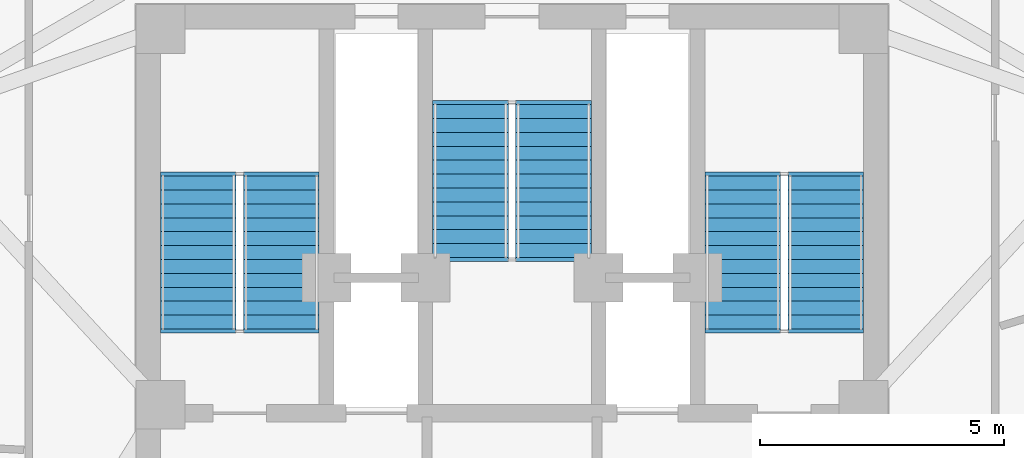
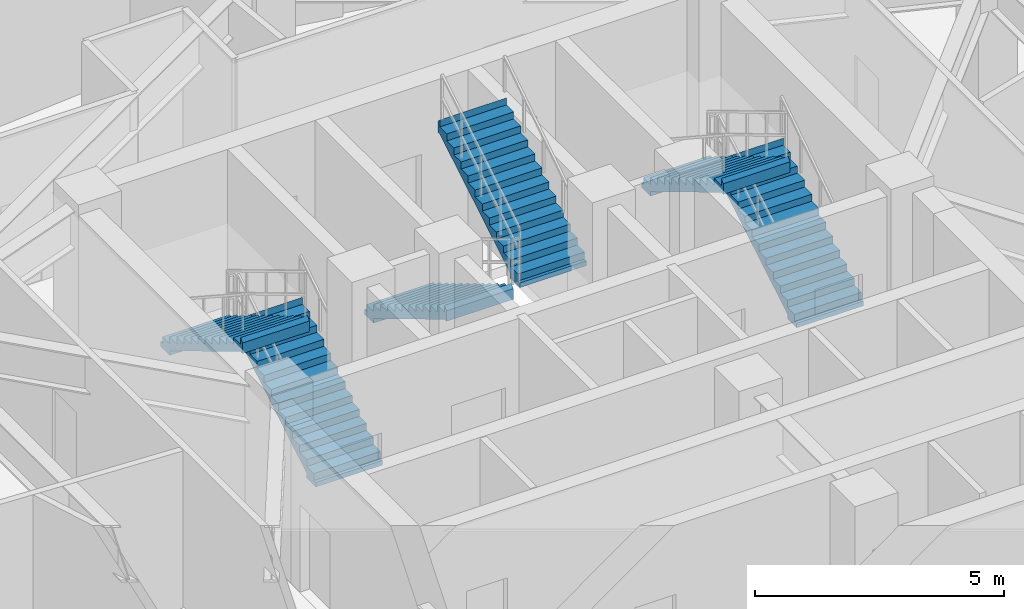
# One storey, part 7 of 11: 6 stair flights, 3 elements without a shape of their own.
"""IFC4 building model written with IfcOpenShell, lengths in metres."""

from ifc_helpers import new_model, si_unit, direction, frame, origin, place, context, subcontext, project, spatial, polyline, outline, extrude, material, type_object, element, aggregate, save


model = new_model("IFC4")

# Units and contexts
model_context = context("Model", 3, precision=1e-05, world=origin(), true_north=direction((0.0, 1.0)))
body_context = subcontext(model_context, "Body", "Model", "MODEL_VIEW")
ifc_project = project(units=[si_unit("LENGTHUNIT", "METRE"), si_unit("AREAUNIT", "SQUARE_METRE"), si_unit("VOLUMEUNIT", "CUBIC_METRE"), si_unit("PLANEANGLEUNIT", "RADIAN"), si_unit("MASSUNIT", "GRAM", prefix="KILO")], contexts=[model_context])

# Site, building, storey
site_placement = place(None, origin())
site = spatial("IfcSite", under=ifc_project, at=site_placement, CompositionType="ELEMENT")
building_placement = place(site_placement, origin())
building = spatial("IfcBuilding", under=site, at=building_placement, Name="Apsidion Concourse Tower", CompositionType="ELEMENT")
storey_placement = place(building_placement, frame((0.0, 0.0, 281.89990234375)))
storey = spatial("IfcBuildingStorey", under=building, at=storey_placement, Name="L66", CompositionType="ELEMENT", Elevation=281.89990234375)

# Stair, stair flights
ifc_material = material(Name="Precast concrete C40/50", Category="concrete")
stair_type = type_object("IfcStairType", Name="ST-DL-1550", PredefinedType="HALF_TURN_STAIR", material=ifc_material)
stair_1_placement = place(storey_placement, origin())
stair_1 = element("IfcStair", 1, at=stair_1_placement, inside=storey, type_object=stair_type, Name="L66 Protected Core Exit Stair ST1", PredefinedType="HALF_TURN_STAIR")
stair_flight_type = type_object("IfcStairFlightType", Name="SFL-RC-1550", PredefinedType="STRAIGHT", material=ifc_material)
stair_flight_1_placement = place(storey_placement, frame((-4.72509765625, 3.0, 0.0), z_axis=(0.0, 0.0, 1.0), x_axis=(0.0, 1.0, 0.0)))
stair_flight_1 = element("IfcStairFlight", 2, at=stair_flight_1_placement, type_object=stair_flight_type, Name="ST1 flight 1", NumberOfRisers=12, NumberOfTreads=11, PredefinedType="STRAIGHT", RiserHeight=0.170833333, TreadLength=0.285, context=body_context, shape_type="SweptSolid", body=[
    extrude(outline(polyline([(-0.080078125, -0.1123046875), (-0.080078125, 0.0), (0.0, 0.0), (0.0, 0.1708984375), (0.284912109375, 0.1708984375), (0.284912109375, 0.341552734375), (0.570068359375, 0.341552734375), (0.570068359375, 0.512451171875), (0.85498046875, 0.512451171875), (0.85498046875, 0.683349609375), (1.139892578125, 0.683349609375), (1.139892578125, 0.854248046875), (1.425048828125, 0.854248046875), (1.425048828125, 1.02490234375), (1.7099609375, 1.02490234375), (1.7099609375, 1.19580078125), (1.9951171875, 1.19580078125), (1.9951171875, 1.36669921875), (2.280029296875, 1.36669921875), (2.280029296875, 1.53759765625), (2.56494140625, 1.53759765625), (2.56494140625, 1.708251953125), (2.85009765625, 1.708251953125), (2.85009765625, 1.879150390625), (3.135009765625, 1.879150390625), (3.135009765625, 2.050048828125), (3.215087890625, 1.964599609375), (3.215087890625, 1.704345703125), (3.135009765625, 1.704345703125), (0.29150390625, 0.0), (0.29150390625, -0.1123046875), (-0.080078125, -0.1123046875)])), frame((0.0, 0.77490234375, 0.0), z_axis=(0.0, -1.0, 0.0), x_axis=(1.0, 0.0, 0.0)), (0.0, 0.0, 1.0), 1.550048828125),
])
stair_flight_2_placement = place(storey_placement, frame((-6.425048828125, 6.135009765625, 2.050048828125), z_axis=(0.0, 0.0, 1.0), x_axis=(0.0, -1.0, 0.0)))
stair_flight_2 = element("IfcStairFlight", 3, at=stair_flight_2_placement, type_object=stair_flight_type, Name="ST1 flight 2", NumberOfRisers=12, NumberOfTreads=11, PredefinedType="STRAIGHT", RiserHeight=0.170833333, TreadLength=0.285, context=body_context, shape_type="SweptSolid", body=[
    extrude(outline(polyline([(-0.080078125, -0.1123046875), (-0.080078125, 0.0), (0.0, 0.0), (0.0, 0.1708984375), (0.284912109375, 0.1708984375), (0.284912109375, 0.341552734375), (0.570068359375, 0.341552734375), (0.570068359375, 0.512451171875), (0.85498046875, 0.512451171875), (0.85498046875, 0.683349609375), (1.139892578125, 0.683349609375), (1.139892578125, 0.854248046875), (1.425048828125, 0.854248046875), (1.425048828125, 1.02490234375), (1.7099609375, 1.02490234375), (1.7099609375, 1.19580078125), (1.9951171875, 1.19580078125), (1.9951171875, 1.36669921875), (2.280029296875, 1.36669921875), (2.280029296875, 1.53759765625), (2.56494140625, 1.53759765625), (2.56494140625, 1.708251953125), (2.85009765625, 1.708251953125), (2.85009765625, 1.879150390625), (3.135009765625, 1.879150390625), (3.135009765625, 2.050048828125), (3.215087890625, 1.964599609375), (3.215087890625, 1.704345703125), (3.135009765625, 1.704345703125), (0.29150390625, 0.0), (0.29150390625, -0.1123046875), (-0.080078125, -0.1123046875)])), frame((0.0, 0.77490234375, 0.0), z_axis=(0.0, -1.0, 0.0), x_axis=(1.0, 0.0, 0.0)), (0.0, 0.0, 1.0), 1.550048828125),
])
aggregate(stair_1, [stair_flight_1, stair_flight_2])

stair_2_placement = place(storey_placement, origin())
stair_2 = element("IfcStair", 4, at=stair_2_placement, inside=storey, type_object=stair_type, Name="L66 Protected Core Exit Stair ST2", PredefinedType="HALF_TURN_STAIR")
stair_flight_3_placement = place(storey_placement, frame((6.425048828125, 3.0, 0.0), z_axis=(0.0, 0.0, 1.0), x_axis=(0.0, 1.0, 0.0)))
stair_flight_3 = element("IfcStairFlight", 5, at=stair_flight_3_placement, type_object=stair_flight_type, Name="ST2 flight 1", NumberOfRisers=12, NumberOfTreads=11, PredefinedType="STRAIGHT", RiserHeight=0.170833333, TreadLength=0.285, context=body_context, shape_type="SweptSolid", body=[
    extrude(outline(polyline([(-0.080078125, -0.1123046875), (-0.080078125, 0.0), (0.0, 0.0), (0.0, 0.1708984375), (0.284912109375, 0.1708984375), (0.284912109375, 0.341552734375), (0.570068359375, 0.341552734375), (0.570068359375, 0.512451171875), (0.85498046875, 0.512451171875), (0.85498046875, 0.683349609375), (1.139892578125, 0.683349609375), (1.139892578125, 0.854248046875), (1.425048828125, 0.854248046875), (1.425048828125, 1.02490234375), (1.7099609375, 1.02490234375), (1.7099609375, 1.19580078125), (1.9951171875, 1.19580078125), (1.9951171875, 1.36669921875), (2.280029296875, 1.36669921875), (2.280029296875, 1.53759765625), (2.56494140625, 1.53759765625), (2.56494140625, 1.708251953125), (2.85009765625, 1.708251953125), (2.85009765625, 1.879150390625), (3.135009765625, 1.879150390625), (3.135009765625, 2.050048828125), (3.215087890625, 1.964599609375), (3.215087890625, 1.704345703125), (3.135009765625, 1.704345703125), (0.29150390625, 0.0), (0.29150390625, -0.1123046875), (-0.080078125, -0.1123046875)])), frame((0.0, 0.77490234375, 0.0), z_axis=(0.0, -1.0, 0.0), x_axis=(1.0, 0.0, 0.0)), (0.0, 0.0, 1.0), 1.550048828125),
])
stair_flight_4_placement = place(storey_placement, frame((4.72509765625, 6.135009765625, 2.050048828125), z_axis=(0.0, 0.0, 1.0), x_axis=(0.0, -1.0, 0.0)))
stair_flight_4 = element("IfcStairFlight", 6, at=stair_flight_4_placement, type_object=stair_flight_type, Name="ST2 flight 2", NumberOfRisers=12, NumberOfTreads=11, PredefinedType="STRAIGHT", RiserHeight=0.170833333, TreadLength=0.285, context=body_context, shape_type="SweptSolid", body=[
    extrude(outline(polyline([(-0.080078125, -0.1123046875), (-0.080078125, 0.0), (0.0, 0.0), (0.0, 0.1708984375), (0.284912109375, 0.1708984375), (0.284912109375, 0.341552734375), (0.570068359375, 0.341552734375), (0.570068359375, 0.512451171875), (0.85498046875, 0.512451171875), (0.85498046875, 0.683349609375), (1.139892578125, 0.683349609375), (1.139892578125, 0.854248046875), (1.425048828125, 0.854248046875), (1.425048828125, 1.02490234375), (1.7099609375, 1.02490234375), (1.7099609375, 1.19580078125), (1.9951171875, 1.19580078125), (1.9951171875, 1.36669921875), (2.280029296875, 1.36669921875), (2.280029296875, 1.53759765625), (2.56494140625, 1.53759765625), (2.56494140625, 1.708251953125), (2.85009765625, 1.708251953125), (2.85009765625, 1.879150390625), (3.135009765625, 1.879150390625), (3.135009765625, 2.050048828125), (3.215087890625, 1.964599609375), (3.215087890625, 1.704345703125), (3.135009765625, 1.704345703125), (0.29150390625, 0.0), (0.29150390625, -0.1123046875), (-0.080078125, -0.1123046875)])), frame((0.0, 0.77490234375, 0.0), z_axis=(0.0, -1.0, 0.0), x_axis=(1.0, 0.0, 0.0)), (0.0, 0.0, 1.0), 1.550048828125),
])
aggregate(stair_2, [stair_flight_3, stair_flight_4])

stair_3_placement = place(storey_placement, origin())
stair_3 = element("IfcStair", 7, at=stair_3_placement, inside=storey, type_object=stair_type, Name="L66 Protected Core Exit Stair ST3", PredefinedType="HALF_TURN_STAIR")
stair_flight_5_placement = place(storey_placement, frame((-0.85009765625, 7.60009765625, 0.0), z_axis=(0.0, 0.0, 1.0), x_axis=(0.0, -1.0, 0.0)))
stair_flight_5 = element("IfcStairFlight", 8, at=stair_flight_5_placement, type_object=stair_flight_type, Name="ST3 flight 1", NumberOfRisers=12, NumberOfTreads=11, PredefinedType="STRAIGHT", RiserHeight=0.170833333, TreadLength=0.285, context=body_context, shape_type="SweptSolid", body=[
    extrude(outline(polyline([(-0.080078125, -0.1123046875), (-0.080078125, 0.0), (0.0, 0.0), (0.0, 0.1708984375), (0.284912109375, 0.1708984375), (0.284912109375, 0.341552734375), (0.570068359375, 0.341552734375), (0.570068359375, 0.512451171875), (0.85498046875, 0.512451171875), (0.85498046875, 0.683349609375), (1.139892578125, 0.683349609375), (1.139892578125, 0.854248046875), (1.425048828125, 0.854248046875), (1.425048828125, 1.02490234375), (1.7099609375, 1.02490234375), (1.7099609375, 1.19580078125), (1.9951171875, 1.19580078125), (1.9951171875, 1.36669921875), (2.280029296875, 1.36669921875), (2.280029296875, 1.53759765625), (2.56494140625, 1.53759765625), (2.56494140625, 1.708251953125), (2.85009765625, 1.708251953125), (2.85009765625, 1.879150390625), (3.135009765625, 1.879150390625), (3.135009765625, 2.050048828125), (3.215087890625, 1.964599609375), (3.215087890625, 1.704345703125), (3.135009765625, 1.704345703125), (0.29150390625, 0.0), (0.29150390625, -0.1123046875), (-0.080078125, -0.1123046875)])), frame((0.0, 0.77490234375, 0.0), z_axis=(0.0, -1.0, 0.0), x_axis=(1.0, 0.0, 0.0)), (0.0, 0.0, 1.0), 1.550048828125),
])
stair_flight_6_placement = place(storey_placement, frame((0.85009765625, 4.465087890625, 2.050048828125), z_axis=(0.0, 0.0, 1.0), x_axis=(0.0, 1.0, 0.0)))
stair_flight_6 = element("IfcStairFlight", 9, at=stair_flight_6_placement, type_object=stair_flight_type, Name="ST3 flight 2", NumberOfRisers=12, NumberOfTreads=11, PredefinedType="STRAIGHT", RiserHeight=0.170833333, TreadLength=0.285, context=body_context, shape_type="SweptSolid", body=[
    extrude(outline(polyline([(-0.080078125, -0.1123046875), (-0.080078125, 0.0), (0.0, 0.0), (0.0, 0.1708984375), (0.284912109375, 0.1708984375), (0.284912109375, 0.341552734375), (0.570068359375, 0.341552734375), (0.570068359375, 0.512451171875), (0.85498046875, 0.512451171875), (0.85498046875, 0.683349609375), (1.139892578125, 0.683349609375), (1.139892578125, 0.854248046875), (1.425048828125, 0.854248046875), (1.425048828125, 1.02490234375), (1.7099609375, 1.02490234375), (1.7099609375, 1.19580078125), (1.9951171875, 1.19580078125), (1.9951171875, 1.36669921875), (2.280029296875, 1.36669921875), (2.280029296875, 1.53759765625), (2.56494140625, 1.53759765625), (2.56494140625, 1.708251953125), (2.85009765625, 1.708251953125), (2.85009765625, 1.879150390625), (3.135009765625, 1.879150390625), (3.135009765625, 2.050048828125), (3.215087890625, 1.964599609375), (3.215087890625, 1.704345703125), (3.135009765625, 1.704345703125), (0.29150390625, 0.0), (0.29150390625, -0.1123046875), (-0.080078125, -0.1123046875)])), frame((0.0, 0.77490234375, 0.0), z_axis=(0.0, -1.0, 0.0), x_axis=(1.0, 0.0, 0.0)), (0.0, 0.0, 1.0), 1.550048828125),
])
aggregate(stair_3, [stair_flight_5, stair_flight_6])

save(model, "model.ifc")
